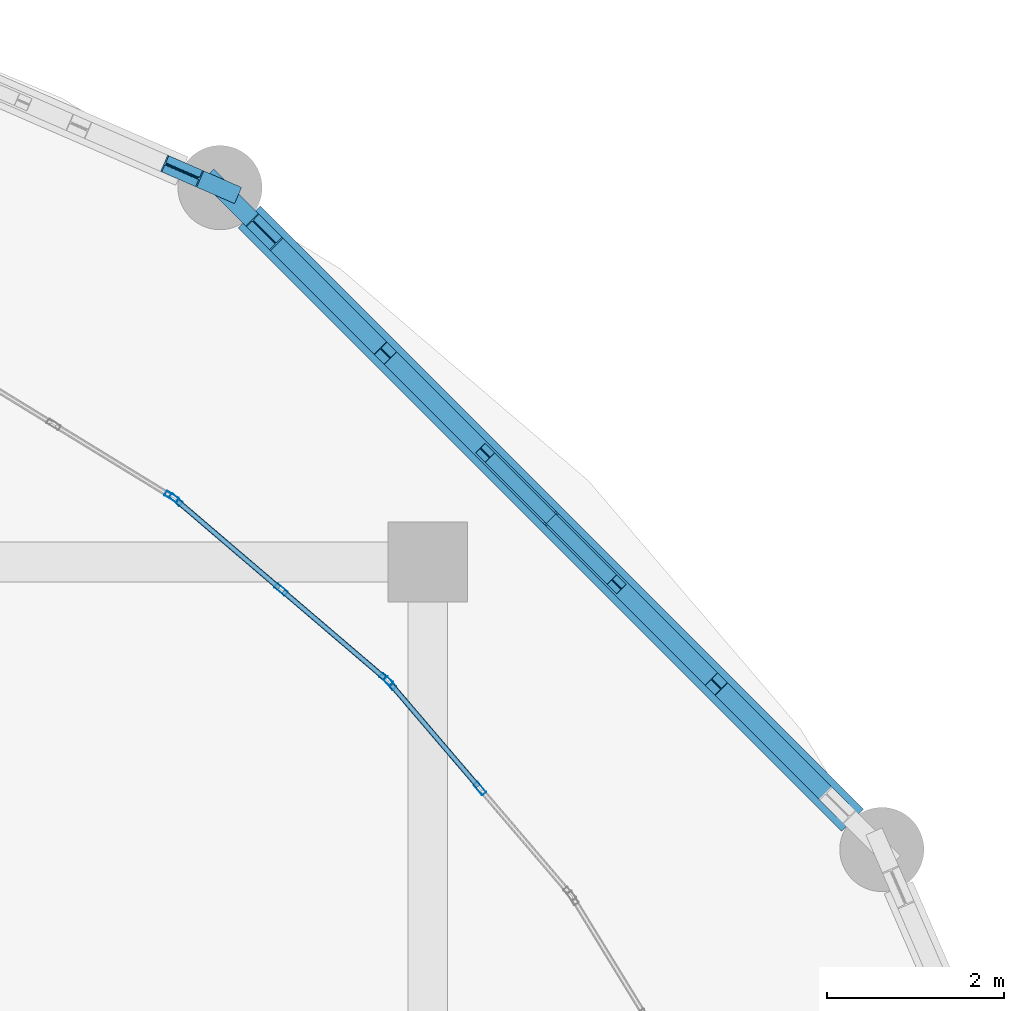
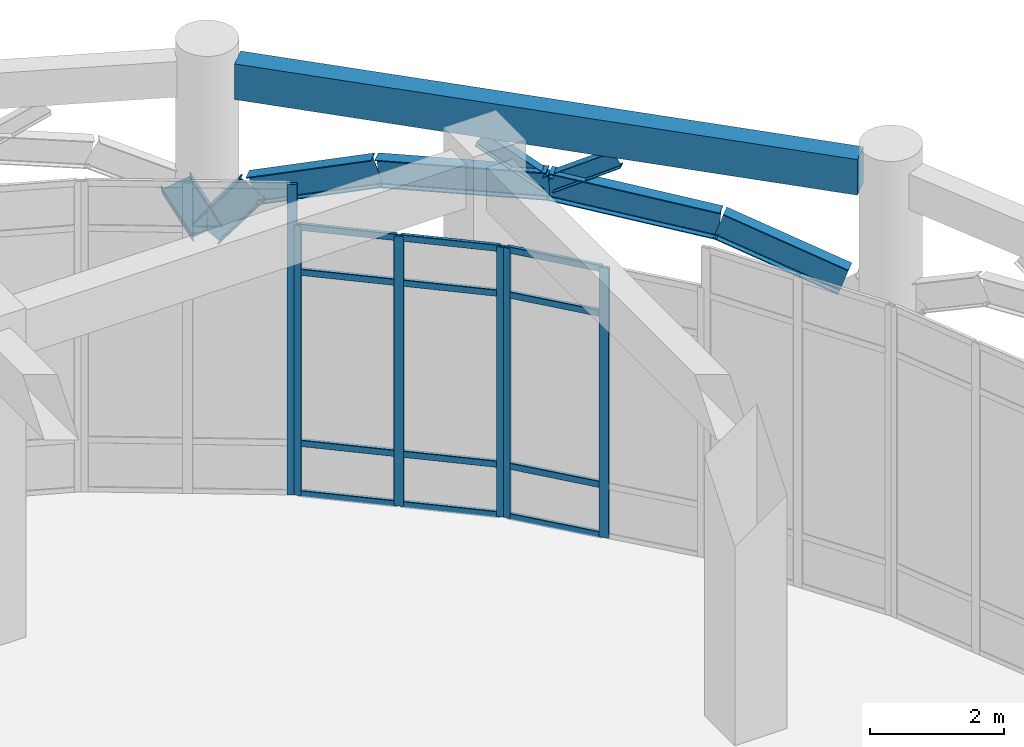
# One storey, part 48 of 82: 20 members, 7 beams, 3 elements without a shape of their own.
"""IFC4 building model written with IfcOpenShell, lengths in metres."""

from ifc_helpers import new_model, si_unit, derived_unit, direction, frame, origin, origin_2d, place, context, subcontext, project, spatial, rectangle, hollow_rectangle, i_section, extrude, material, layer, layer_set, material_profile, profile_set, type_object, element, aggregate, save


model = new_model("IFC4")

# Units and contexts
model_context = context("Model", 3, precision=1e-05, world=origin(), true_north=direction((0.0, 1.0)))
body_context = subcontext(model_context, "Body", "Model", "MODEL_VIEW")
ifc_project = project(units=[si_unit("LENGTHUNIT", "METRE"), si_unit("AREAUNIT", "SQUARE_METRE"), si_unit("VOLUMEUNIT", "CUBIC_METRE"), si_unit("PLANEANGLEUNIT", "RADIAN"), si_unit("MASSUNIT", "GRAM", prefix="KILO"), derived_unit("THERMALTRANSMITTANCEUNIT", [(si_unit("MASSUNIT", "GRAM", prefix="KILO"), 1), (si_unit("TIMEUNIT", "SECOND"), -3), (si_unit("THERMODYNAMICTEMPERATUREUNIT", "KELVIN"), -1)])], contexts=[model_context])

# Site, building, storey
site_placement = place(None, origin())
site = spatial("IfcSite", under=ifc_project, at=site_placement, CompositionType="ELEMENT")
building_placement = place(site_placement, origin())
building = spatial("IfcBuilding", under=site, at=building_placement, Name="Qinzheling Arcade Emporium", CompositionType="ELEMENT")
storey_placement = place(building_placement, origin())
storey = spatial("IfcBuildingStorey", under=building, at=storey_placement, Name="L01", CompositionType="ELEMENT", Elevation=0.0)

# Beams
ifc_material_1 = material(Name="Weathering steel Q355NH", Category="steel")
ifc_material_profile_1 = material_profile(ifc_material_1, i_section(OverallWidth=0.199951171875, OverallDepth=0.5, WebThickness=0.010009765625, FlangeThickness=0.01611328125, FilletRadius=0.01806640625, at=origin_2d()), Name="HN 500x200x10x16", Category="steel")
ifc_profile_set_1 = profile_set([ifc_material_profile_1], Name="Weathering steel Q355NH")
beam_type_1 = type_object("IfcBeamType", Name="Arcade End Arch Rib HN500 Q355NH", PredefinedType="BEAM", material=ifc_profile_set_1)
beam_1_placement = place(storey_placement, frame((143.827880859375, 104.053955078125, 3.402099609375), z_axis=(-0.668331627249, 0.668450908282, 0.326352905971), x_axis=(-0.707169873471, -0.707043683272, 0.0)))
element("IfcBeam", 1, at=beam_1_placement, inside=storey, type_object=beam_type_1, Name="Curved Arcade Entrance Arch ARC-L01-CV6-B03-C02", PredefinedType="BEAM", context=body_context, shape_type="SweptSolid", body=[
    extrude(i_section(OverallWidth=0.199951171875, OverallDepth=0.5, WebThickness=0.010009765625, FlangeThickness=0.01611328125, FilletRadius=0.01806640625, at=origin_2d()), origin(), (0.0, 0.0, 1.0), 2.046875),
])
beam_2_placement = place(storey_placement, frame((142.4599609375, 105.422119140625, 4.070068359375), z_axis=(-0.704091335627, 0.704091335627, 0.092253900671), x_axis=(-0.707106781187, -0.707106781187, 0.0)))
element("IfcBeam", 2, at=beam_2_placement, inside=storey, type_object=beam_type_1, Name="Curved Arcade Entrance Arch ARC-L01-CV6-B03-C03", PredefinedType="BEAM", context=body_context, shape_type="SweptSolid", body=[
    extrude(i_section(OverallWidth=0.199951171875, OverallDepth=0.5, WebThickness=0.010009765625, FlangeThickness=0.01611328125, FilletRadius=0.01806640625, at=origin_2d()), origin(), (0.0, 0.0, 1.0), 2.654296875),
])
beam_3_placement = place(storey_placement, frame((140.591064453125, 107.291015625, 4.31494140625), z_axis=(-0.704137711508, 0.704045739497, -0.092247926416), x_axis=(-0.707060596752, -0.707152962604, 0.0)))
element("IfcBeam", 3, at=beam_3_placement, inside=storey, type_object=beam_type_1, Name="Curved Arcade Entrance Arch ARC-L01-CV6-B03-C04", PredefinedType="BEAM", context=body_context, shape_type="SweptSolid", body=[
    extrude(i_section(OverallWidth=0.199951171875, OverallDepth=0.5, WebThickness=0.010009765625, FlangeThickness=0.01611328125, FilletRadius=0.01806640625, at=origin_2d()), origin(), (0.0, 0.0, 1.0), 2.654541015625),
])
beam_4_placement = place(storey_placement, frame((138.721923828125, 109.159912109375, 4.070068359375), z_axis=(-0.668331627249, 0.668450908282, -0.326352905971), x_axis=(-0.707169873471, -0.707043683272, 0.0)))
element("IfcBeam", 4, at=beam_4_placement, inside=storey, type_object=beam_type_1, Name="Curved Arcade Entrance Arch ARC-L01-CV6-B03-C05", PredefinedType="BEAM", context=body_context, shape_type="SweptSolid", body=[
    extrude(i_section(OverallWidth=0.199951171875, OverallDepth=0.5, WebThickness=0.010009765625, FlangeThickness=0.01611328125, FilletRadius=0.01806640625, at=origin_2d()), origin(), (0.0, 0.0, 1.0), 2.046875),
])
beam_5_placement = place(storey_placement, frame((137.35400390625, 110.528076171875, 3.402099609375), z_axis=(-0.433766500971, 0.433766500971, -0.789742518338), x_axis=(-0.707106781187, -0.707106781187, 0.0)))
element("IfcBeam", 5, at=beam_5_placement, inside=storey, type_object=beam_type_1, Name="Curved Arcade Entrance Arch ARC-L01-CV6-B03-C06", PredefinedType="BEAM", context=body_context, shape_type="SweptSolid", body=[
    extrude(i_section(OverallWidth=0.199951171875, OverallDepth=0.5, WebThickness=0.010009765625, FlangeThickness=0.01611328125, FilletRadius=0.01806640625, at=origin_2d()), origin(), (0.0, 0.0, 1.0), 1.155029296875),
])
beam_6_placement = place(storey_placement, frame((136.85302734375, 111.029052734375, 2.489990234375), z_axis=(-0.416933013362, 0.181648345444, 0.890601336719), x_axis=(-0.399416000282, -0.916769795924, 0.0)))
element("IfcBeam", 6, at=beam_6_placement, inside=storey, type_object=beam_type_1, Name="Curved Arcade Entrance Arch ARC-L01-CV6-B04-C01", PredefinedType="BEAM", context=body_context, shape_type="SweptSolid", body=[
    extrude(i_section(OverallWidth=0.199951171875, OverallDepth=0.5, WebThickness=0.010009765625, FlangeThickness=0.01611328125, FilletRadius=0.01806640625, at=origin_2d()), origin(), (0.0, 0.0, 1.0), 1.024169921875),
])

# Members
ifc_material_profile_2 = material_profile(ifc_material_1, i_section(OverallWidth=0.14990234375, OverallDepth=0.300048828125, WebThickness=0.006591796875, FlangeThickness=0.009033203125, FilletRadius=0.012939453125, at=origin_2d()), Name="HN 300x150x6.5x9", Category="steel")
ifc_profile_set_2 = profile_set([ifc_material_profile_2], Name="Weathering steel Q355NH")
member_type_1 = type_object("IfcMemberType", Name="Arcade Spandrel Web Chord HN300 Q355NH", PredefinedType="CHORD", material=ifc_profile_set_2)
for number, where, z_axis, x_axis, name in (
    (7, (140.591064453125, 107.291015625, 4.324951171875), (0.60363806572, -0.60363806572, 0.520809150483), (0.707106781187, 0.707106781187, 0.0), "Arcade Spandrel Web Chord ASW-L01-CV6-B03-W1"),
    (8, (140.591064453125, 107.291015625, 4.324951171875), (-0.60363806572, 0.60363806572, 0.520809150483), (-0.707106781187, -0.707106781187, 0.0), "Arcade Spandrel Web Chord ASW-L01-CV6-B03-W2"),
):
    element("IfcMember", number, at=place(storey_placement, frame(where, z_axis=z_axis, x_axis=x_axis)), inside=storey, type_object=member_type_1, Name=name, PredefinedType="CHORD", context=body_context, shape_type="SweptSolid", body=[
        extrude(i_section(OverallWidth=0.14990234375, OverallDepth=0.300048828125, WebThickness=0.006591796875, FlangeThickness=0.009033203125, FilletRadius=0.012939453125, at=origin_2d()), origin(), (0.0, 0.0, 1.0), 1.22900390625),
    ])

# Curtain wall, member
ifc_material_2 = material(Name="Anodised aluminium and solar-control double glazing", Category="aluminium")
ifc_layer = layer(ifc_material_2, 0.159912109375, Name="Anodised aluminium and solar-control double glazing", Category="aluminium")
ifc_layer_set = layer_set([ifc_layer], Name="Anodised aluminium and solar-control double glazing")
curtain_wall_type = type_object("IfcCurtainWallType", Name="Curved Ribbon Sales Curtain Wall", PredefinedType="NOTDEFINED", material=ifc_layer_set)
curtain_wall_1_placement = place(storey_placement, origin())
curtain_wall_1 = element("IfcCurtainWall", 9, at=curtain_wall_1_placement, inside=storey, type_object=curtain_wall_type, Name="Curtain Wall CW-L01-037", PredefinedType="NOTDEFINED")
ifc_material_3 = material(Name="Anodised aluminium 6063-T6", Category="aluminium")
ifc_material_profile_3 = material_profile(ifc_material_3, hollow_rectangle(XDim=0.06005859375, YDim=0.159912109375, WallThickness=0.00390625, InnerFilletRadius=0.00390625, OuterFilletRadius=0.008056640625, at=origin_2d()), Name="RHS 160x60x4", Category="aluminium")
ifc_profile_set_3 = profile_set([ifc_material_profile_3], Name="Anodised aluminium 6063-T6")
member_type_2 = type_object("IfcMemberType", Name="Curtain Wall Mullion RHS160x60", PredefinedType="MULLION", material=ifc_profile_set_3)
member_1_placement = place(storey_placement, frame((136.306396484375, 107.53857421875, 0.0), z_axis=(0.0, 0.0, 1.0), x_axis=(0.522414811302, 0.852691482854, 0.0)))
member_1 = element("IfcMember", 10, at=member_1_placement, type_object=member_type_2, Name="CW02 mullion 3", PredefinedType="MULLION", context=body_context, shape_type="SweptSolid", body=[
    extrude(hollow_rectangle(XDim=0.06005859375, YDim=0.159912109375, WallThickness=0.00390625, InnerFilletRadius=0.00390625, OuterFilletRadius=0.008056640625, at=origin_2d()), origin(), (0.0, 0.0, 1.0), 5.659912109375),
])
aggregate(curtain_wall_1, [member_1])

# Curtain wall, members
curtain_wall_2_placement = place(storey_placement, origin())
curtain_wall_2 = element("IfcCurtainWall", 11, at=curtain_wall_2_placement, inside=storey, type_object=curtain_wall_type, Name="Curtain Wall CW-L01-038", PredefinedType="NOTDEFINED")
member_2_placement = place(storey_placement, frame((136.354736328125, 107.50341796875, 0.0), z_axis=(0.0, 0.0, 1.0), x_axis=(0.64952366287, 0.76034137818, 0.0)))
member_2 = element("IfcMember", 12, at=member_2_placement, type_object=member_type_2, Name="CW02 mullion 1", PredefinedType="MULLION", context=body_context, shape_type="SweptSolid", body=[
    extrude(hollow_rectangle(XDim=0.06005859375, YDim=0.159912109375, WallThickness=0.00390625, InnerFilletRadius=0.00390625, OuterFilletRadius=0.008056640625, at=origin_2d()), origin(), (0.0, 0.0, 1.0), 4.919921875),
])
member_3_placement = place(storey_placement, frame((137.54296875, 106.488525390625, 0.0), z_axis=(0.0, 0.0, 1.0), x_axis=(0.64952366287, 0.76034137818, 0.0)))
member_3 = element("IfcMember", 13, at=member_3_placement, type_object=member_type_2, Name="CW02 mullion 2", PredefinedType="MULLION", context=body_context, shape_type="SweptSolid", body=[
    extrude(hollow_rectangle(XDim=0.06005859375, YDim=0.159912109375, WallThickness=0.00390625, InnerFilletRadius=0.00390625, OuterFilletRadius=0.008056640625, at=origin_2d()), origin(), (0.0, 0.0, 1.0), 4.919921875),
])
member_4_placement = place(storey_placement, frame((138.731201171875, 105.473388671875, 0.0), z_axis=(0.0, 0.0, 1.0), x_axis=(0.64952366287, 0.76034137818, 0.0)))
member_4 = element("IfcMember", 14, at=member_4_placement, type_object=member_type_2, Name="CW02 mullion 3", PredefinedType="MULLION", context=body_context, shape_type="SweptSolid", body=[
    extrude(hollow_rectangle(XDim=0.06005859375, YDim=0.159912109375, WallThickness=0.00390625, InnerFilletRadius=0.00390625, OuterFilletRadius=0.008056640625, at=origin_2d()), origin(), (0.0, 0.0, 1.0), 4.919921875),
])

curtain_wall_3_placement = place(storey_placement, origin())
curtain_wall_3 = element("IfcCurtainWall", 15, at=curtain_wall_3_placement, inside=storey, type_object=curtain_wall_type, Name="Curtain Wall CW-L01-039", PredefinedType="NOTDEFINED")
member_5_placement = place(storey_placement, frame((138.7734375, 105.43115234375, 0.0), z_axis=(0.0, 0.0, 1.0), x_axis=(0.76034137818, 0.64952366287, 0.0)))
member_5 = element("IfcMember", 16, at=member_5_placement, type_object=member_type_2, Name="CW02 mullion 1", PredefinedType="MULLION", context=body_context, shape_type="SweptSolid", body=[
    extrude(hollow_rectangle(XDim=0.06005859375, YDim=0.159912109375, WallThickness=0.00390625, InnerFilletRadius=0.00390625, OuterFilletRadius=0.008056640625, at=origin_2d()), origin(), (0.0, 0.0, 1.0), 4.919921875),
])
member_6_placement = place(storey_placement, frame((139.78857421875, 104.242919921875, 0.0), z_axis=(0.0, 0.0, 1.0), x_axis=(0.76034137818, 0.64952366287, 0.0)))
member_6 = element("IfcMember", 17, at=member_6_placement, type_object=member_type_2, Name="CW02 mullion 2", PredefinedType="MULLION", context=body_context, shape_type="SweptSolid", body=[
    extrude(hollow_rectangle(XDim=0.06005859375, YDim=0.159912109375, WallThickness=0.00390625, InnerFilletRadius=0.00390625, OuterFilletRadius=0.008056640625, at=origin_2d()), origin(), (0.0, 0.0, 1.0), 4.919921875),
])

# Member
ifc_material_profile_4 = material_profile(ifc_material_3, hollow_rectangle(XDim=0.06005859375, YDim=0.1201171875, WallThickness=0.00390625, InnerFilletRadius=0.00390625, OuterFilletRadius=0.008056640625, at=origin_2d()), Name="RHS 120x60x4", Category="aluminium")
ifc_profile_set_4 = profile_set([ifc_material_profile_4], Name="Anodised aluminium 6063-T6")
member_type_3 = type_object("IfcMemberType", Name="Curtain Wall Transom RHS120x60", PredefinedType="USERDEFINED", material=ifc_profile_set_4)
member_7_placement = place(storey_placement, frame((136.377685546875, 107.484130859375, 0.030029296875), z_axis=(0.760333560054, -0.649532814764, 0.0), x_axis=(0.649532814764, 0.760333560054, 0.0)))
member_7 = element("IfcMember", 18, at=member_7_placement, type_object=member_type_3, Name="CW02 transom 1.1", ObjectType="TRANSOM", PredefinedType="USERDEFINED", context=body_context, shape_type="SweptSolid", body=[
    extrude(hollow_rectangle(XDim=0.06005859375, YDim=0.1201171875, WallThickness=0.00390625, InnerFilletRadius=0.00390625, OuterFilletRadius=0.008056640625, at=origin_2d()), origin(), (0.0, 0.0, 1.0), 1.502685546875),
])

member_8_placement = place(storey_placement, frame((136.377685546875, 107.484130859375, 0.949951171875), z_axis=(0.760333560054, -0.649532814764, 0.0), x_axis=(0.649532814764, 0.760333560054, 0.0)))
member_8 = element("IfcMember", 19, at=member_8_placement, type_object=member_type_3, Name="CW02 transom 1.2", ObjectType="TRANSOM", PredefinedType="USERDEFINED", context=body_context, shape_type="SweptSolid", body=[
    extrude(hollow_rectangle(XDim=0.06005859375, YDim=0.1201171875, WallThickness=0.00390625, InnerFilletRadius=0.00390625, OuterFilletRadius=0.008056640625, at=origin_2d()), origin(), (0.0, 0.0, 1.0), 1.502685546875),
])

member_9_placement = place(storey_placement, frame((136.377685546875, 107.484130859375, 4.070068359375), z_axis=(0.760333560054, -0.649532814764, 0.0), x_axis=(0.649532814764, 0.760333560054, 0.0)))
member_9 = element("IfcMember", 20, at=member_9_placement, type_object=member_type_3, Name="CW02 transom 1.3", ObjectType="TRANSOM", PredefinedType="USERDEFINED", context=body_context, shape_type="SweptSolid", body=[
    extrude(hollow_rectangle(XDim=0.06005859375, YDim=0.1201171875, WallThickness=0.00390625, InnerFilletRadius=0.00390625, OuterFilletRadius=0.008056640625, at=origin_2d()), origin(), (0.0, 0.0, 1.0), 1.502685546875),
])

member_10_placement = place(storey_placement, frame((136.377685546875, 107.484130859375, 4.889892578125), z_axis=(0.760333560054, -0.649532814764, 0.0), x_axis=(0.649532814764, 0.760333560054, 0.0)))
member_10 = element("IfcMember", 21, at=member_10_placement, type_object=member_type_3, Name="CW02 transom 1.4", ObjectType="TRANSOM", PredefinedType="USERDEFINED", context=body_context, shape_type="SweptSolid", body=[
    extrude(hollow_rectangle(XDim=0.06005859375, YDim=0.1201171875, WallThickness=0.00390625, InnerFilletRadius=0.00390625, OuterFilletRadius=0.008056640625, at=origin_2d()), origin(), (0.0, 0.0, 1.0), 1.502685546875),
])

member_11_placement = place(storey_placement, frame((137.56591796875, 106.468994140625, 0.030029296875), z_axis=(0.760333560054, -0.649532814764, 0.0), x_axis=(0.649532814764, 0.760333560054, 0.0)))
member_11 = element("IfcMember", 22, at=member_11_placement, type_object=member_type_3, Name="CW02 transom 2.1", ObjectType="TRANSOM", PredefinedType="USERDEFINED", context=body_context, shape_type="SweptSolid", body=[
    extrude(hollow_rectangle(XDim=0.06005859375, YDim=0.1201171875, WallThickness=0.00390625, InnerFilletRadius=0.00390625, OuterFilletRadius=0.008056640625, at=origin_2d()), origin(), (0.0, 0.0, 1.0), 1.502685546875),
])

member_12_placement = place(storey_placement, frame((137.56591796875, 106.468994140625, 0.949951171875), z_axis=(0.760333560054, -0.649532814764, 0.0), x_axis=(0.649532814764, 0.760333560054, 0.0)))
member_12 = element("IfcMember", 23, at=member_12_placement, type_object=member_type_3, Name="CW02 transom 2.2", ObjectType="TRANSOM", PredefinedType="USERDEFINED", context=body_context, shape_type="SweptSolid", body=[
    extrude(hollow_rectangle(XDim=0.06005859375, YDim=0.1201171875, WallThickness=0.00390625, InnerFilletRadius=0.00390625, OuterFilletRadius=0.008056640625, at=origin_2d()), origin(), (0.0, 0.0, 1.0), 1.502685546875),
])

member_13_placement = place(storey_placement, frame((137.56591796875, 106.468994140625, 4.070068359375), z_axis=(0.760333560054, -0.649532814764, 0.0), x_axis=(0.649532814764, 0.760333560054, 0.0)))
member_13 = element("IfcMember", 24, at=member_13_placement, type_object=member_type_3, Name="CW02 transom 2.3", ObjectType="TRANSOM", PredefinedType="USERDEFINED", context=body_context, shape_type="SweptSolid", body=[
    extrude(hollow_rectangle(XDim=0.06005859375, YDim=0.1201171875, WallThickness=0.00390625, InnerFilletRadius=0.00390625, OuterFilletRadius=0.008056640625, at=origin_2d()), origin(), (0.0, 0.0, 1.0), 1.502685546875),
])

member_14_placement = place(storey_placement, frame((137.56591796875, 106.468994140625, 4.889892578125), z_axis=(0.760333560054, -0.649532814764, 0.0), x_axis=(0.649532814764, 0.760333560054, 0.0)))
member_14 = element("IfcMember", 25, at=member_14_placement, type_object=member_type_3, Name="CW02 transom 2.4", ObjectType="TRANSOM", PredefinedType="USERDEFINED", context=body_context, shape_type="SweptSolid", body=[
    extrude(hollow_rectangle(XDim=0.06005859375, YDim=0.1201171875, WallThickness=0.00390625, InnerFilletRadius=0.00390625, OuterFilletRadius=0.008056640625, at=origin_2d()), origin(), (0.0, 0.0, 1.0), 1.502685546875),
])

aggregate(curtain_wall_2, [member_2, member_3, member_4, member_7, member_8, member_9, member_10, member_11, member_12, member_13, member_14])

member_15_placement = place(storey_placement, frame((138.79296875, 105.408447265625, 0.030029296875), z_axis=(0.649532814764, -0.760333560054, 0.0), x_axis=(0.760333560054, 0.649532814764, 0.0)))
member_15 = element("IfcMember", 26, at=member_15_placement, type_object=member_type_3, Name="CW02 transom 1.1", ObjectType="TRANSOM", PredefinedType="USERDEFINED", context=body_context, shape_type="SweptSolid", body=[
    extrude(hollow_rectangle(XDim=0.06005859375, YDim=0.1201171875, WallThickness=0.00390625, InnerFilletRadius=0.00390625, OuterFilletRadius=0.008056640625, at=origin_2d()), origin(), (0.0, 0.0, 1.0), 1.502685546875),
])

member_16_placement = place(storey_placement, frame((138.79296875, 105.408447265625, 0.949951171875), z_axis=(0.649532814764, -0.760333560054, 0.0), x_axis=(0.760333560054, 0.649532814764, 0.0)))
member_16 = element("IfcMember", 27, at=member_16_placement, type_object=member_type_3, Name="CW02 transom 1.2", ObjectType="TRANSOM", PredefinedType="USERDEFINED", context=body_context, shape_type="SweptSolid", body=[
    extrude(hollow_rectangle(XDim=0.06005859375, YDim=0.1201171875, WallThickness=0.00390625, InnerFilletRadius=0.00390625, OuterFilletRadius=0.008056640625, at=origin_2d()), origin(), (0.0, 0.0, 1.0), 1.502685546875),
])

member_17_placement = place(storey_placement, frame((138.79296875, 105.408447265625, 4.070068359375), z_axis=(0.649532814764, -0.760333560054, 0.0), x_axis=(0.760333560054, 0.649532814764, 0.0)))
member_17 = element("IfcMember", 28, at=member_17_placement, type_object=member_type_3, Name="CW02 transom 1.3", ObjectType="TRANSOM", PredefinedType="USERDEFINED", context=body_context, shape_type="SweptSolid", body=[
    extrude(hollow_rectangle(XDim=0.06005859375, YDim=0.1201171875, WallThickness=0.00390625, InnerFilletRadius=0.00390625, OuterFilletRadius=0.008056640625, at=origin_2d()), origin(), (0.0, 0.0, 1.0), 1.502685546875),
])

member_18_placement = place(storey_placement, frame((138.79296875, 105.408447265625, 4.889892578125), z_axis=(0.649532814764, -0.760333560054, 0.0), x_axis=(0.760333560054, 0.649532814764, 0.0)))
member_18 = element("IfcMember", 29, at=member_18_placement, type_object=member_type_3, Name="CW02 transom 1.4", ObjectType="TRANSOM", PredefinedType="USERDEFINED", context=body_context, shape_type="SweptSolid", body=[
    extrude(hollow_rectangle(XDim=0.06005859375, YDim=0.1201171875, WallThickness=0.00390625, InnerFilletRadius=0.00390625, OuterFilletRadius=0.008056640625, at=origin_2d()), origin(), (0.0, 0.0, 1.0), 1.502685546875),
])

aggregate(curtain_wall_3, [member_5, member_6, member_15, member_16, member_17, member_18])

# Beam
ifc_material_4 = material(Name="Concrete C40", Category="concrete")
ifc_material_profile_5 = material_profile(ifc_material_4, rectangle(XDim=0.35009765625, YDim=0.64990234375, at=origin_2d()), Name="RC 350x650", Category="concrete")
ifc_profile_set_5 = profile_set([ifc_material_profile_5], Name="Concrete C40")
beam_type_2 = type_object("IfcBeamType", Name="RC Spandrel Edge Beam 350x650 C40", PredefinedType="SPANDREL", material=ifc_profile_set_5)
beam_7_placement = place(storey_placement, frame((143.9970703125, 103.885009765625, 5.409912109375), z_axis=(-0.707106781187, 0.707106781187, 0.0), x_axis=(-0.707106781187, -0.707106781187, 0.0)))
element("IfcBeam", 30, at=beam_7_placement, inside=storey, type_object=beam_type_2, Name="Curved Arcade Spandrel BM-L01-CV6-B03", PredefinedType="SPANDREL", context=body_context, shape_type="SweptSolid", body=[
    extrude(rectangle(XDim=0.35009765625, YDim=0.64990234375, at=origin_2d()), origin(), (0.0, 0.0, 1.0), 9.633544921875),
])

save(model, "model.ifc")
